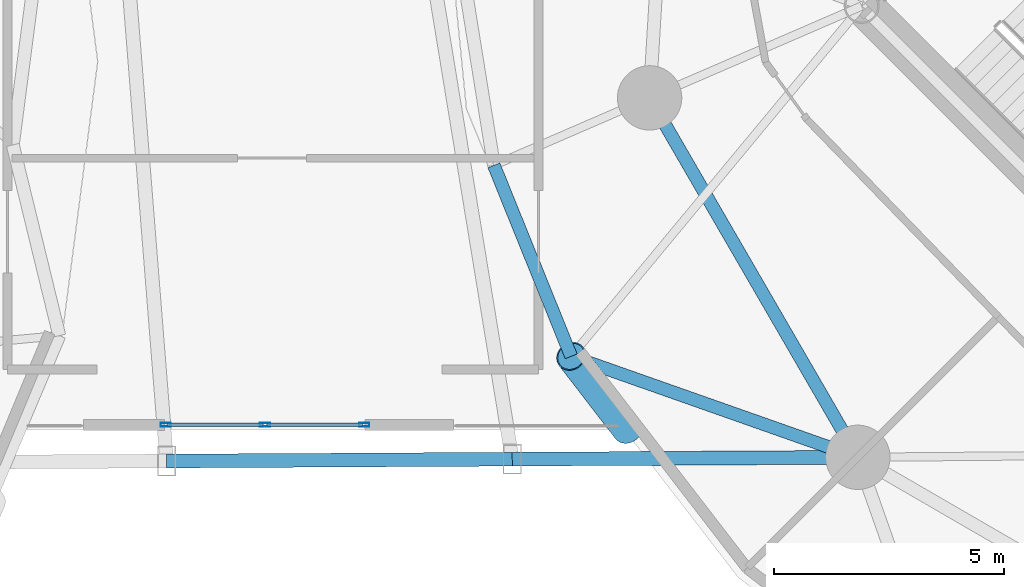
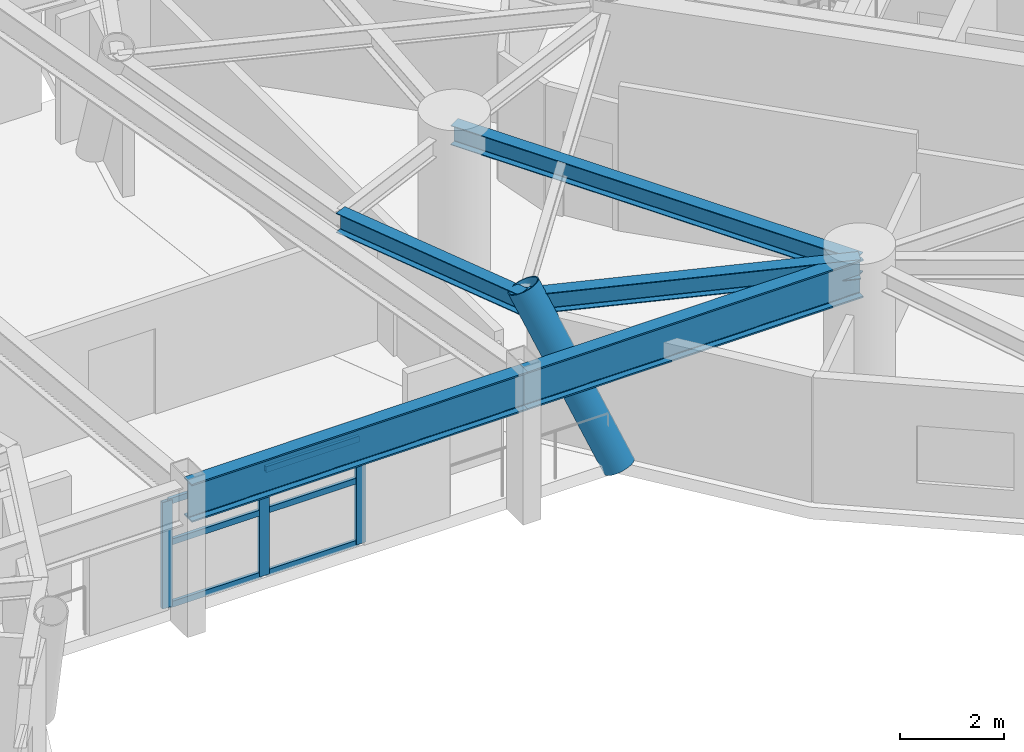
# One storey, part 4 of 19: 10 members, 5 beams, 1 element without a shape of its own.
"""IFC4 building model written with IfcOpenShell, lengths in metres."""

import ifcopenshell
import ifcopenshell.guid

model = None  # the IFC model being written
_history = None  # IfcOwnerHistory: only IFC2X3 demands one
_inside = {}  # id of a spatial element -> (the spatial element, [elements in it])
_under = {}  # id of a project, library or spatial element -> (it, [spatial elements below it])
_declared = {}  # id of a project -> (the project, [libraries it declares])
_typed = {}  # id of a type object -> (the type object, [elements of that type])
_made_of = {}  # id of a material, layer set ... -> (it, [elements and type objects made of it])


def new_model(schema):
    """Start an empty IFC model of exactly this schema.

    Asked for "IFC4X3", IfcOpenShell would pick the latest addendum, in which some entities
    have other attributes; the version numbers below select the first issue.
    IFC2X3 requires an IfcOwnerHistory on every rooted entity: one is made here for all.
    """
    global model, _history
    if schema == "IFC4X3":
        model = ifcopenshell.file(schema_version=(4, 3, 0, 0))
    else:
        model = ifcopenshell.file(schema=schema)
    _inside.clear()
    _under.clear()
    _declared.clear()
    _typed.clear()
    _made_of.clear()
    _history = None
    if model.schema == "IFC2X3":
        org = make("IfcOrganization", Name="unknown")
        user = make(
            "IfcPersonAndOrganization",
            ThePerson=make("IfcPerson", FamilyName="unknown"),
            TheOrganization=org,
        )
        app = make(
            "IfcApplication",
            ApplicationDeveloper=org,
            Version="unknown",
            ApplicationFullName="unknown",
            ApplicationIdentifier="unknown",
        )
        _history = make(
            "IfcOwnerHistory",
            OwningUser=user,
            OwningApplication=app,
            ChangeAction="ADDED",
            CreationDate=0,
        )
    return model


def make(cls, **values):
    """One entity of the class cls with the attributes given. An attribute that is None is left unset."""
    return model.create_entity(
        cls, **{name: value for name, value in values.items() if value is not None}
    )


def rooted(cls, **values):
    """An entity with a GlobalId (a new one), such as an element, a storey or a relation."""
    return make(cls, GlobalId=ifcopenshell.guid.new(), OwnerHistory=_history, **values)


def si_unit(unit_type, name, prefix=None):
    """IfcSIUnit, for example si_unit("LENGTHUNIT", "METRE", prefix="MILLI")."""
    return make("IfcSIUnit", UnitType=unit_type, Prefix=prefix, Name=name)


def assignment(units):
    """IfcUnitAssignment: the units of a project."""
    return None if units is None else make("IfcUnitAssignment", Units=units)


def point(xyz):
    """IfcCartesianPoint."""
    return None if xyz is None else make("IfcCartesianPoint", Coordinates=xyz)


def direction(xyz):
    """IfcDirection."""
    return None if xyz is None else make("IfcDirection", DirectionRatios=xyz)


def frame(location, z_axis=None, x_axis=None):
    """IfcAxis2Placement3D, a coordinate frame: its origin and axes. An axis left out is left unset."""
    return make(
        "IfcAxis2Placement3D",
        Location=point(location),
        Axis=direction(z_axis),
        RefDirection=direction(x_axis),
    )


def frame_2d(location, x_axis=None):
    """IfcAxis2Placement2D, a coordinate frame in the plane: its origin and x axis."""
    return make(
        "IfcAxis2Placement2D", Location=point(location), RefDirection=direction(x_axis)
    )


def origin():
    """The frame at (0, 0, 0) with its axes left unset."""
    return frame((0.0, 0.0, 0.0))


def origin_2d():
    """The frame at (0, 0) in the plane with its x axis left unset."""
    return frame_2d((0.0, 0.0))


def place(relative_to, where):
    """IfcLocalPlacement: puts the frame where relative to a parent placement (None: the world)."""
    return make(
        "IfcLocalPlacement", PlacementRelTo=relative_to, RelativePlacement=where
    )


def context(
    kind, dimensions, precision=None, world=None, true_north=None, identifier=None
):
    """IfcGeometricRepresentationContext, for example the 3D "Model" context."""
    return make(
        "IfcGeometricRepresentationContext",
        ContextIdentifier=identifier,
        ContextType=kind,
        CoordinateSpaceDimension=dimensions,
        Precision=precision,
        WorldCoordinateSystem=world,
        TrueNorth=true_north,
    )


def subcontext(parent, identifier, kind, view, scale=None):
    """IfcGeometricRepresentationSubContext, for example "Body" below "Model"."""
    return make(
        "IfcGeometricRepresentationSubContext",
        ContextIdentifier=identifier,
        ContextType=kind,
        ParentContext=parent,
        TargetScale=scale,
        TargetView=view,
    )


def project(units=None, contexts=None):
    """IfcProject with its units and contexts."""
    return rooted(
        "IfcProject",
        Name="project",
        RepresentationContexts=contexts,
        UnitsInContext=assignment(units),
    )


def spatial(cls, under=None, at=None, **own):
    """A site, building, storey or space (cls), placed at a placement, below another one or the project."""
    s = rooted(cls, ObjectPlacement=at, **own)
    if under is not None:
        _under.setdefault(under.id(), (under, []))[1].append(s)
    return s


def profile(cls, at=None, kind="AREA", **sizes):
    """A parametric profile (cls). Its sizes go by their IFC names, for example OverallWidth=200.0."""
    return make(cls, ProfileType=kind, Position=at, **sizes)


def hollow_rectangle(**sizes):
    """IfcRectangleHollowProfileDef."""
    return profile("IfcRectangleHollowProfileDef", **sizes)


def hollow_circle(**sizes):
    """IfcCircleHollowProfileDef."""
    return profile("IfcCircleHollowProfileDef", **sizes)


def i_section(**sizes):
    """IfcIShapeProfileDef."""
    return profile("IfcIShapeProfileDef", **sizes)


def extrude(swept, where, along, depth):
    """IfcExtrudedAreaSolid: the profile swept, set in the frame where, extruded along a direction by depth."""
    return make(
        "IfcExtrudedAreaSolid",
        SweptArea=swept,
        Position=where,
        ExtrudedDirection=direction(along),
        Depth=depth,
    )


def shape(context_of_items, identifier, shape_type, items):
    """IfcShapeRepresentation: the items that make up one representation, for example the "Body"."""
    return make(
        "IfcShapeRepresentation",
        ContextOfItems=context_of_items,
        RepresentationIdentifier=identifier,
        RepresentationType=shape_type,
        Items=items,
    )


def material(Name=None, Category=None):
    """IfcMaterial."""
    return make("IfcMaterial", Name=Name, Category=Category)


def layer(
    of_material, thickness, ventilated=None, Name=None, Category=None, Priority=None
):
    """IfcMaterialLayer: one layer of a wall or slab, of a material (None: an air gap)."""
    return make(
        "IfcMaterialLayer",
        Material=of_material,
        LayerThickness=thickness,
        IsVentilated=ventilated,
        Name=Name,
        Category=Category,
        Priority=Priority,
    )


def layer_set(layers, Name=None):
    """IfcMaterialLayerSet."""
    return make("IfcMaterialLayerSet", MaterialLayers=layers, LayerSetName=Name)


def material_profile(
    of_material, cross_section, Name=None, Category=None, Priority=None
):
    """IfcMaterialProfile: a cross section and its material."""
    return make(
        "IfcMaterialProfile",
        Name=Name,
        Material=of_material,
        Profile=cross_section,
        Priority=Priority,
        Category=Category,
    )


def profile_set(profiles, Name=None, composite=None):
    """IfcMaterialProfileSet."""
    return make(
        "IfcMaterialProfileSet",
        Name=Name,
        MaterialProfiles=profiles,
        CompositeProfile=composite,
    )


def made_of(thing, what):
    """Note that an element or type object is made of a material, layer set ...; save() writes the relation."""
    if what is not None:
        _made_of.setdefault(what.id(), (what, []))[1].append(thing)
    return thing


def type_object(cls, material=None, **own):
    """A type object (cls), such as IfcWallType, which elements share."""
    return made_of(rooted(cls, **own), material)


def element(
    cls,
    number,
    at=None,
    inside=None,
    cuts=None,
    type_object=None,
    material=None,
    context=None,
    identifier="Body",
    shape_type=None,
    held_by="IfcProductDefinitionShape",
    body=None,
    shapes=None,
    **own,
):
    """One element of the class cls, such as IfcWall. Its Tag is "e" and its number.

    at: its placement. inside: the storey or other place that contains it. cuts: it is an
    opening in that element (IfcRelVoidsElement). A single representation is given by context,
    identifier, shape_type and body (its items); several are given by shapes. held_by: the class
    of the entity that holds the representations. save() writes the other relations.
    """
    e = rooted(cls, Tag="e%d" % number, ObjectPlacement=at, **own)
    if body is not None:
        shapes = [shape(context, identifier, shape_type, body)]
    if shapes is not None:
        e.Representation = make(held_by, Representations=shapes)
    if inside is not None:
        _inside.setdefault(inside.id(), (inside, []))[1].append(e)
    if cuts is not None:
        rooted(
            "IfcRelVoidsElement", RelatingBuildingElement=cuts, RelatedOpeningElement=e
        )
    if type_object is not None:
        _typed.setdefault(type_object.id(), (type_object, []))[1].append(e)
    return made_of(e, material)


def aggregate(whole, parts):
    """IfcRelAggregates: a whole, such as a stair, and the parts it consists of."""
    return rooted("IfcRelAggregates", RelatingObject=whole, RelatedObjects=parts)


def save(model, path):
    """Write the relations noted so far, then the file.

    IfcRelAggregates (storeys below a building ...), IfcRelContainedInSpatialStructure (elements
    in a storey), IfcRelDefinesByType, IfcRelAssociatesMaterial and IfcRelDeclares: one each for
    every whole, place, type object, material and project.
    """
    for whole, parts in _under.values():
        aggregate(whole, parts)
    for where, things in _inside.values():
        rooted(
            "IfcRelContainedInSpatialStructure",
            RelatedElements=things,
            RelatingStructure=where,
        )
    for kind, things in _typed.values():
        rooted("IfcRelDefinesByType", RelatedObjects=things, RelatingType=kind)
    for what, things in _made_of.values():
        rooted("IfcRelAssociatesMaterial", RelatedObjects=things, RelatingMaterial=what)
    for by, libraries in _declared.values():
        rooted("IfcRelDeclares", RelatingContext=by, RelatedDefinitions=libraries)
    model.write(path)


model = new_model("IFC4")

# Units and contexts
model_context = context("Model", 3, precision=1e-05, world=origin(), true_north=direction((0.0, 1.0)))
body_context = subcontext(model_context, "Body", "Model", "MODEL_VIEW")
ifc_project = project(units=[si_unit("LENGTHUNIT", "METRE"), si_unit("AREAUNIT", "SQUARE_METRE"), si_unit("VOLUMEUNIT", "CUBIC_METRE"), si_unit("PLANEANGLEUNIT", "RADIAN"), si_unit("MASSUNIT", "GRAM", prefix="KILO")], contexts=[model_context])

# Site, building, storey
site_placement = place(None, origin())
site = spatial("IfcSite", under=ifc_project, at=site_placement, CompositionType="ELEMENT")
building_placement = place(site_placement, origin())
building = spatial("IfcBuilding", under=site, at=building_placement, Name="Cununo Teusaquillo Station Towers", CompositionType="ELEMENT")
storey_placement = place(building_placement, frame((0.0, 0.0, 136.60009765625)))
storey = spatial("IfcBuildingStorey", under=building, at=storey_placement, Name="L43", CompositionType="ELEMENT", Elevation=136.60009765625)

# Beams
ifc_material_1 = material(Name="Steel EN 10025-2 S355J2", Category="steel")
ifc_material_profile_1 = material_profile(ifc_material_1, i_section(OverallWidth=0.300048828125, OverallDepth=0.89990234375, WebThickness=0.0185546875, FlangeThickness=0.034912109375, FilletRadius=0.027099609375, at=origin_2d()), Name="HEB 900")
ifc_profile_set_1 = profile_set([ifc_material_profile_1], Name="Steel EN 10025-2 S355J2")
beam_type_1 = type_object("IfcBeamType", Name="BM-BRG-CH2", PredefinedType="BEAM", material=ifc_profile_set_1)
beam_1_placement = place(storey_placement, frame((33.862548828125, 15.81201171875, 2.989990234375), z_axis=(0.999985459376, 0.00539268359, 0.0), x_axis=(-0.00539268359, 0.999985459376, 0.0)))
element("IfcBeam", 1, at=beam_1_placement, inside=storey, type_object=beam_type_1, Name="L43 Mid-Bridge Chord S2", PredefinedType="BEAM", context=body_context, shape_type="SweptSolid", body=[
    extrude(i_section(OverallWidth=0.300048828125, OverallDepth=0.89990234375, WebThickness=0.0185546875, FlangeThickness=0.034912109375, FilletRadius=0.027099609375, at=origin_2d()), origin(), (0.0, 0.0, 1.0), 7.51513671875),
])
beam_2_placement = place(storey_placement, frame((41.377685546875, 15.8525390625, 2.989990234375), z_axis=(0.999985460321, 0.005392508411, 0.0), x_axis=(-0.005392508411, 0.999985460321, 0.0)))
element("IfcBeam", 2, at=beam_2_placement, inside=storey, type_object=beam_type_1, Name="L43 Mid-Bridge Chord S3", PredefinedType="BEAM", context=body_context, shape_type="SweptSolid", body=[
    extrude(i_section(OverallWidth=0.300048828125, OverallDepth=0.89990234375, WebThickness=0.0185546875, FlangeThickness=0.034912109375, FilletRadius=0.027099609375, at=origin_2d()), origin(), (0.0, 0.0, 1.0), 7.515380859375),
])
ifc_material_2 = material(Name="Steel ASTM A572 Grade 50", Category="steel")
ifc_material_profile_2 = material_profile(ifc_material_2, i_section(OverallWidth=0.280029296875, OverallDepth=0.462890625, WebThickness=0.0107421875, FlangeThickness=0.017333984375, FilletRadius=0.013916015625, at=origin_2d()), Name="W18X76")
ifc_profile_set_2 = profile_set([ifc_material_profile_2], Name="Steel ASTM A572 Grade 50")
beam_type_2 = type_object("IfcBeamType", Name="BM-RING-Z2", PredefinedType="SPANDREL", material=ifc_profile_set_2)
beam_3_placement = place(storey_placement, frame((44.36474609375, 23.708984375, 3.20849609375), z_axis=(0.501311121078, -0.865267103202, 0.0), x_axis=(0.865267103202, 0.501311121078, 0.0)))
element("IfcBeam", 3, at=beam_3_placement, inside=storey, type_object=beam_type_2, Name="L43 Tower B Structural Column Ring Girder 05", PredefinedType="SPANDREL", context=body_context, shape_type="SweptSolid", body=[
    extrude(i_section(OverallWidth=0.280029296875, OverallDepth=0.462890625, WebThickness=0.0107421875, FlangeThickness=0.017333984375, FilletRadius=0.013916015625, at=origin_2d()), origin(), (0.0, 0.0, 1.0), 9.032958984375),
])
beam_4_placement = place(storey_placement, frame((40.978515625, 22.242431640625, 3.20849609375), z_axis=(0.375042266631, -0.927007712072, 0.0), x_axis=(0.927007712072, 0.375042266631, 0.0)))
element("IfcBeam", 4, at=beam_4_placement, inside=storey, type_object=beam_type_2, Name="L43 Tower B Spandrel Ring Beam 09", PredefinedType="SPANDREL", context=body_context, shape_type="SweptSolid", body=[
    extrude(i_section(OverallWidth=0.280029296875, OverallDepth=0.462890625, WebThickness=0.0107421875, FlangeThickness=0.017333984375, FilletRadius=0.013916015625, at=origin_2d()), origin(), (0.0, 0.0, 1.0), 4.480712890625),
])
beam_5_placement = place(storey_placement, frame((42.658935546875, 18.0888671875, 3.20849609375), z_axis=(0.943202901767, -0.332217227276, 0.0), x_axis=(0.332217227276, 0.943202901767, 0.0)))
element("IfcBeam", 5, at=beam_5_placement, inside=storey, type_object=beam_type_2, Name="L43 Tower B Spandrel Ring Beam 10", PredefinedType="SPANDREL", context=body_context, shape_type="SweptSolid", body=[
    extrude(i_section(OverallWidth=0.280029296875, OverallDepth=0.462890625, WebThickness=0.0107421875, FlangeThickness=0.017333984375, FilletRadius=0.013916015625, at=origin_2d()), origin(), (0.0, 0.0, 1.0), 6.609619140625),
])

# Curtain wall, members
ifc_material_3 = material(Name="Ceramic-fritted dark low-E double glazing", Category="glass")
ifc_layer = layer(ifc_material_3, 0.179931640625)
ifc_layer_set = layer_set([ifc_layer], Name="Ceramic-fritted dark low-E double glazing")
curtain_wall_type = type_object("IfcCurtainWallType", Name="CW-SYS-05", PredefinedType="USERDEFINED", material=ifc_layer_set)
curtain_wall_placement = place(storey_placement, origin())
curtain_wall = element("IfcCurtainWall", 6, at=curtain_wall_placement, inside=storey, type_object=curtain_wall_type, Name="L43 Mid-Bridge S Observation Curtain Wall", ObjectType="FRITTED GLAZING", PredefinedType="USERDEFINED")
ifc_material_4 = material(Name="Anodised dark bronze aluminium EN AW-6063-T6", Category="aluminium")
ifc_material_profile_3 = material_profile(ifc_material_4, hollow_rectangle(XDim=0.080078125, YDim=0.219970703125, WallThickness=0.0048828125, at=origin_2d()), Name="CW-MULL-80x220")
ifc_profile_set_3 = profile_set([ifc_material_profile_3], Name="Anodised dark bronze aluminium EN AW-6063-T6")
member_type_1 = type_object("IfcMemberType", Name="CWM-220", PredefinedType="MULLION", material=ifc_profile_set_3)
member_1_placement = place(storey_placement, frame((38.159912109375, 16.60009765625, 0.0), z_axis=(0.0, 0.0, 1.0), x_axis=(0.0, -1.0, 0.0)))
member_1 = element("IfcMember", 7, at=member_1_placement, type_object=member_type_1, Name="CW-05 mullion 1", PredefinedType="MULLION", context=body_context, shape_type="SweptSolid", body=[
    extrude(hollow_rectangle(XDim=0.080078125, YDim=0.219970703125, WallThickness=0.0048828125, at=origin_2d()), origin(), (0.0, 0.0, 1.0), 2.511962890625),
])
member_2_placement = place(storey_placement, frame((36.0, 16.60009765625, 0.0), z_axis=(0.0, 0.0, 1.0), x_axis=(0.0, -1.0, 0.0)))
member_2 = element("IfcMember", 8, at=member_2_placement, type_object=member_type_1, Name="CW-05 mullion 2", PredefinedType="MULLION", context=body_context, shape_type="SweptSolid", body=[
    extrude(hollow_rectangle(XDim=0.080078125, YDim=0.219970703125, WallThickness=0.0048828125, at=origin_2d()), origin(), (0.0, 0.0, 1.0), 2.511962890625),
])
member_3_placement = place(storey_placement, frame((33.840087890625, 16.60009765625, 0.0), z_axis=(0.0, 0.0, 1.0), x_axis=(0.0, -1.0, 0.0)))
member_3 = element("IfcMember", 9, at=member_3_placement, type_object=member_type_1, Name="CW-05 mullion 3", PredefinedType="MULLION", context=body_context, shape_type="SweptSolid", body=[
    extrude(hollow_rectangle(XDim=0.080078125, YDim=0.219970703125, WallThickness=0.0048828125, at=origin_2d()), origin(), (0.0, 0.0, 1.0), 2.511962890625),
])
ifc_material_5 = material(Name="Anodised dark bronze aluminium EN AW-6063-T6", Category="aluminium")
ifc_material_profile_4 = material_profile(ifc_material_5, hollow_rectangle(XDim=0.070068359375, YDim=0.139892578125, WallThickness=0.00390625, at=origin_2d()), Name="CW-TRAN-70x140")
ifc_profile_set_4 = profile_set([ifc_material_profile_4], Name="Anodised dark bronze aluminium EN AW-6063-T6")
member_type_2 = type_object("IfcMemberType", Name="CWT-140", PredefinedType="USERDEFINED", material=ifc_profile_set_4)
member_4_placement = place(storey_placement, frame((38.1201171875, 16.60009765625, 0.034912109375), z_axis=(-1.0, 0.0, 0.0), x_axis=(0.0, -1.0, 0.0)))
member_4 = element("IfcMember", 10, at=member_4_placement, type_object=member_type_2, Name="CW-05 transom 1.1", ObjectType="TRANSOM", PredefinedType="USERDEFINED", context=body_context, shape_type="SweptSolid", body=[
    extrude(hollow_rectangle(XDim=0.070068359375, YDim=0.139892578125, WallThickness=0.00390625, at=origin_2d()), origin(), (0.0, 0.0, 1.0), 2.080078125),
])
member_5_placement = place(storey_placement, frame((38.1201171875, 16.60009765625, 1.5068359375), z_axis=(-1.0, 0.0, 0.0), x_axis=(0.0, -1.0, 0.0)))
member_5 = element("IfcMember", 11, at=member_5_placement, type_object=member_type_2, Name="CW-05 transom 1.2", ObjectType="TRANSOM", PredefinedType="USERDEFINED", context=body_context, shape_type="SweptSolid", body=[
    extrude(hollow_rectangle(XDim=0.070068359375, YDim=0.139892578125, WallThickness=0.00390625, at=origin_2d()), origin(), (0.0, 0.0, 1.0), 2.080078125),
])
member_6_placement = place(storey_placement, frame((38.1201171875, 16.60009765625, 2.476806640625), z_axis=(-1.0, 0.0, 0.0), x_axis=(0.0, -1.0, 0.0)))
member_6 = element("IfcMember", 12, at=member_6_placement, type_object=member_type_2, Name="CW-05 transom 1.3", ObjectType="TRANSOM", PredefinedType="USERDEFINED", context=body_context, shape_type="SweptSolid", body=[
    extrude(hollow_rectangle(XDim=0.070068359375, YDim=0.139892578125, WallThickness=0.00390625, at=origin_2d()), origin(), (0.0, 0.0, 1.0), 2.080078125),
])
member_7_placement = place(storey_placement, frame((35.9599609375, 16.60009765625, 0.034912109375), z_axis=(-1.0, 0.0, 0.0), x_axis=(0.0, -1.0, 0.0)))
member_7 = element("IfcMember", 13, at=member_7_placement, type_object=member_type_2, Name="CW-05 transom 2.1", ObjectType="TRANSOM", PredefinedType="USERDEFINED", context=body_context, shape_type="SweptSolid", body=[
    extrude(hollow_rectangle(XDim=0.070068359375, YDim=0.139892578125, WallThickness=0.00390625, at=origin_2d()), origin(), (0.0, 0.0, 1.0), 2.080078125),
])
member_8_placement = place(storey_placement, frame((35.9599609375, 16.60009765625, 1.5068359375), z_axis=(-1.0, 0.0, 0.0), x_axis=(0.0, -1.0, 0.0)))
member_8 = element("IfcMember", 14, at=member_8_placement, type_object=member_type_2, Name="CW-05 transom 2.2", ObjectType="TRANSOM", PredefinedType="USERDEFINED", context=body_context, shape_type="SweptSolid", body=[
    extrude(hollow_rectangle(XDim=0.070068359375, YDim=0.139892578125, WallThickness=0.00390625, at=origin_2d()), origin(), (0.0, 0.0, 1.0), 2.080078125),
])
member_9_placement = place(storey_placement, frame((35.9599609375, 16.60009765625, 2.476806640625), z_axis=(-1.0, 0.0, 0.0), x_axis=(0.0, -1.0, 0.0)))
member_9 = element("IfcMember", 15, at=member_9_placement, type_object=member_type_2, Name="CW-05 transom 2.3", ObjectType="TRANSOM", PredefinedType="USERDEFINED", context=body_context, shape_type="SweptSolid", body=[
    extrude(hollow_rectangle(XDim=0.070068359375, YDim=0.139892578125, WallThickness=0.00390625, at=origin_2d()), origin(), (0.0, 0.0, 1.0), 2.080078125),
])
aggregate(curtain_wall, [member_1, member_2, member_3, member_4, member_5, member_6, member_7, member_8, member_9])

# Member
ifc_material_6 = material(Name="Steel EN 10025-2 S355J2", Category="steel")
ifc_material_profile_5 = material_profile(ifc_material_6, hollow_circle(Radius=0.330078125, WallThickness=0.02490234375, at=origin_2d()), Name="CHS 660x25")
ifc_profile_set_5 = profile_set([ifc_material_profile_5], Name="Steel EN 10025-2 S355J2")
member_type_3 = type_object("IfcMemberType", Name="MBR-DIAG-Z2", PredefinedType="BRACE", material=ifc_profile_set_5)
member_10_placement = place(storey_placement, frame((43.881591796875, 16.501708984375, -0.14013671875), z_axis=(-0.289373803063, 0.375642790277, 0.880429040987), x_axis=(-0.792197972779, -0.610264182076, 0.0)))
element("IfcMember", 16, at=member_10_placement, inside=storey, type_object=member_type_3, Name="L43 Tower B Folded-Zigzag Diagrid Tube C09", PredefinedType="BRACE", context=body_context, shape_type="SweptSolid", body=[
    extrude(hollow_circle(Radius=0.330078125, WallThickness=0.02490234375, at=origin_2d()), origin(), (0.0, 0.0, 1.0), 4.22509765625),
])

save(model, "model.ifc")
